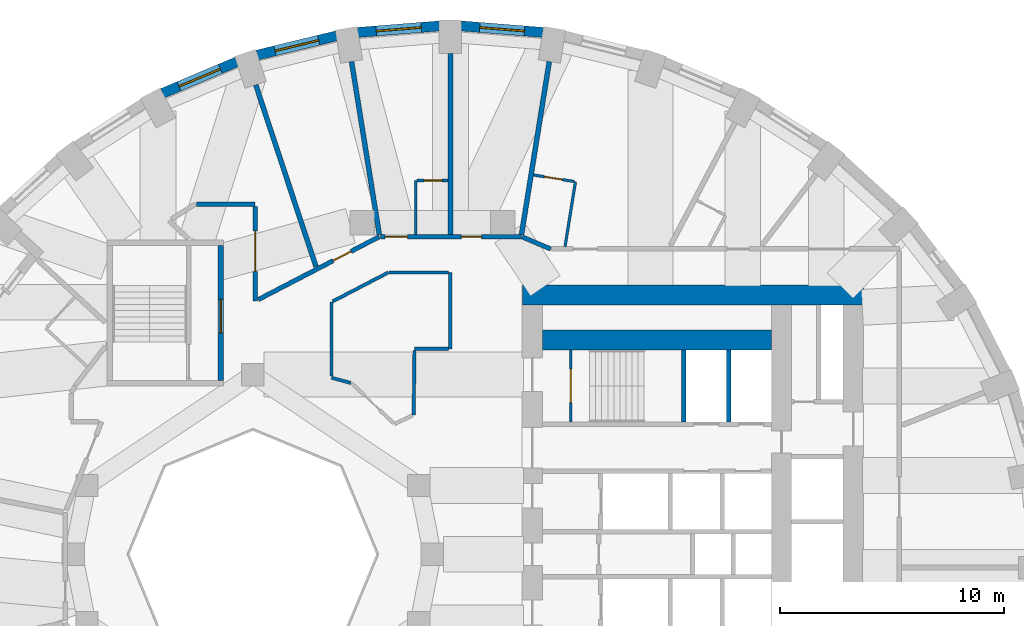
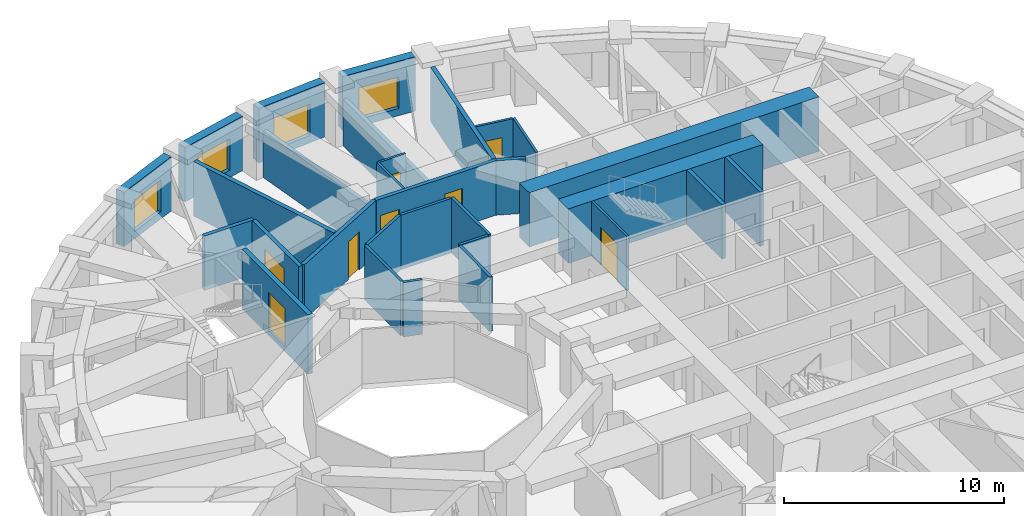
# One storey, part 8 of 13: 30 walls, 8 doors, 4 windows, 12 openings.
"""IFC4 building model written with IfcOpenShell, lengths in metres."""

import ifcopenshell
import ifcopenshell.guid

model = None  # the IFC model being written
_history = None  # IfcOwnerHistory: only IFC2X3 demands one
_inside = {}  # id of a spatial element -> (the spatial element, [elements in it])
_under = {}  # id of a project, library or spatial element -> (it, [spatial elements below it])
_declared = {}  # id of a project -> (the project, [libraries it declares])
_typed = {}  # id of a type object -> (the type object, [elements of that type])
_made_of = {}  # id of a material, layer set ... -> (it, [elements and type objects made of it])


def new_model(schema):
    """Start an empty IFC model of exactly this schema.

    Asked for "IFC4X3", IfcOpenShell would pick the latest addendum, in which some entities
    have other attributes; the version numbers below select the first issue.
    IFC2X3 requires an IfcOwnerHistory on every rooted entity: one is made here for all.
    """
    global model, _history
    if schema == "IFC4X3":
        model = ifcopenshell.file(schema_version=(4, 3, 0, 0))
    else:
        model = ifcopenshell.file(schema=schema)
    _inside.clear()
    _under.clear()
    _declared.clear()
    _typed.clear()
    _made_of.clear()
    _history = None
    if model.schema == "IFC2X3":
        org = make("IfcOrganization", Name="unknown")
        user = make(
            "IfcPersonAndOrganization",
            ThePerson=make("IfcPerson", FamilyName="unknown"),
            TheOrganization=org,
        )
        app = make(
            "IfcApplication",
            ApplicationDeveloper=org,
            Version="unknown",
            ApplicationFullName="unknown",
            ApplicationIdentifier="unknown",
        )
        _history = make(
            "IfcOwnerHistory",
            OwningUser=user,
            OwningApplication=app,
            ChangeAction="ADDED",
            CreationDate=0,
        )
    return model


def make(cls, **values):
    """One entity of the class cls with the attributes given. An attribute that is None is left unset."""
    return model.create_entity(
        cls, **{name: value for name, value in values.items() if value is not None}
    )


def rooted(cls, **values):
    """An entity with a GlobalId (a new one), such as an element, a storey or a relation."""
    return make(cls, GlobalId=ifcopenshell.guid.new(), OwnerHistory=_history, **values)


def si_unit(unit_type, name, prefix=None):
    """IfcSIUnit, for example si_unit("LENGTHUNIT", "METRE", prefix="MILLI")."""
    return make("IfcSIUnit", UnitType=unit_type, Prefix=prefix, Name=name)


def assignment(units):
    """IfcUnitAssignment: the units of a project."""
    return None if units is None else make("IfcUnitAssignment", Units=units)


def point(xyz):
    """IfcCartesianPoint."""
    return None if xyz is None else make("IfcCartesianPoint", Coordinates=xyz)


def direction(xyz):
    """IfcDirection."""
    return None if xyz is None else make("IfcDirection", DirectionRatios=xyz)


def frame(location, z_axis=None, x_axis=None):
    """IfcAxis2Placement3D, a coordinate frame: its origin and axes. An axis left out is left unset."""
    return make(
        "IfcAxis2Placement3D",
        Location=point(location),
        Axis=direction(z_axis),
        RefDirection=direction(x_axis),
    )


def frame_2d(location, x_axis=None):
    """IfcAxis2Placement2D, a coordinate frame in the plane: its origin and x axis."""
    return make(
        "IfcAxis2Placement2D", Location=point(location), RefDirection=direction(x_axis)
    )


def origin():
    """The frame at (0, 0, 0) with its axes left unset."""
    return frame((0.0, 0.0, 0.0))


def place(relative_to, where):
    """IfcLocalPlacement: puts the frame where relative to a parent placement (None: the world)."""
    return make(
        "IfcLocalPlacement", PlacementRelTo=relative_to, RelativePlacement=where
    )


def context(
    kind, dimensions, precision=None, world=None, true_north=None, identifier=None
):
    """IfcGeometricRepresentationContext, for example the 3D "Model" context."""
    return make(
        "IfcGeometricRepresentationContext",
        ContextIdentifier=identifier,
        ContextType=kind,
        CoordinateSpaceDimension=dimensions,
        Precision=precision,
        WorldCoordinateSystem=world,
        TrueNorth=true_north,
    )


def subcontext(parent, identifier, kind, view, scale=None):
    """IfcGeometricRepresentationSubContext, for example "Body" below "Model"."""
    return make(
        "IfcGeometricRepresentationSubContext",
        ContextIdentifier=identifier,
        ContextType=kind,
        ParentContext=parent,
        TargetScale=scale,
        TargetView=view,
    )


def project(units=None, contexts=None):
    """IfcProject with its units and contexts."""
    return rooted(
        "IfcProject",
        Name="project",
        RepresentationContexts=contexts,
        UnitsInContext=assignment(units),
    )


def spatial(cls, under=None, at=None, **own):
    """A site, building, storey or space (cls), placed at a placement, below another one or the project."""
    s = rooted(cls, ObjectPlacement=at, **own)
    if under is not None:
        _under.setdefault(under.id(), (under, []))[1].append(s)
    return s


def profile(cls, at=None, kind="AREA", **sizes):
    """A parametric profile (cls). Its sizes go by their IFC names, for example OverallWidth=200.0."""
    return make(cls, ProfileType=kind, Position=at, **sizes)


def rectangle(**sizes):
    """IfcRectangleProfileDef."""
    return profile("IfcRectangleProfileDef", **sizes)


def extrude(swept, where, along, depth):
    """IfcExtrudedAreaSolid: the profile swept, set in the frame where, extruded along a direction by depth."""
    return make(
        "IfcExtrudedAreaSolid",
        SweptArea=swept,
        Position=where,
        ExtrudedDirection=direction(along),
        Depth=depth,
    )


def shape(context_of_items, identifier, shape_type, items):
    """IfcShapeRepresentation: the items that make up one representation, for example the "Body"."""
    return make(
        "IfcShapeRepresentation",
        ContextOfItems=context_of_items,
        RepresentationIdentifier=identifier,
        RepresentationType=shape_type,
        Items=items,
    )


def material(Name=None, Category=None):
    """IfcMaterial."""
    return make("IfcMaterial", Name=Name, Category=Category)


def layer(
    of_material, thickness, ventilated=None, Name=None, Category=None, Priority=None
):
    """IfcMaterialLayer: one layer of a wall or slab, of a material (None: an air gap)."""
    return make(
        "IfcMaterialLayer",
        Material=of_material,
        LayerThickness=thickness,
        IsVentilated=ventilated,
        Name=Name,
        Category=Category,
        Priority=Priority,
    )


def layer_set(layers, Name=None):
    """IfcMaterialLayerSet."""
    return make("IfcMaterialLayerSet", MaterialLayers=layers, LayerSetName=Name)


def made_of(thing, what):
    """Note that an element or type object is made of a material, layer set ...; save() writes the relation."""
    if what is not None:
        _made_of.setdefault(what.id(), (what, []))[1].append(thing)
    return thing


def type_object(cls, material=None, **own):
    """A type object (cls), such as IfcWallType, which elements share."""
    return made_of(rooted(cls, **own), material)


def element(
    cls,
    number,
    at=None,
    inside=None,
    cuts=None,
    type_object=None,
    material=None,
    context=None,
    identifier="Body",
    shape_type=None,
    held_by="IfcProductDefinitionShape",
    body=None,
    shapes=None,
    **own,
):
    """One element of the class cls, such as IfcWall. Its Tag is "e" and its number.

    at: its placement. inside: the storey or other place that contains it. cuts: it is an
    opening in that element (IfcRelVoidsElement). A single representation is given by context,
    identifier, shape_type and body (its items); several are given by shapes. held_by: the class
    of the entity that holds the representations. save() writes the other relations.
    """
    e = rooted(cls, Tag="e%d" % number, ObjectPlacement=at, **own)
    if body is not None:
        shapes = [shape(context, identifier, shape_type, body)]
    if shapes is not None:
        e.Representation = make(held_by, Representations=shapes)
    if inside is not None:
        _inside.setdefault(inside.id(), (inside, []))[1].append(e)
    if cuts is not None:
        rooted(
            "IfcRelVoidsElement", RelatingBuildingElement=cuts, RelatedOpeningElement=e
        )
    if type_object is not None:
        _typed.setdefault(type_object.id(), (type_object, []))[1].append(e)
    return made_of(e, material)


def fill(opening, filler):
    """IfcRelFillsElement: the door or window that sits in an opening."""
    return rooted(
        "IfcRelFillsElement",
        RelatingOpeningElement=opening,
        RelatedBuildingElement=filler,
    )


def aggregate(whole, parts):
    """IfcRelAggregates: a whole, such as a stair, and the parts it consists of."""
    return rooted("IfcRelAggregates", RelatingObject=whole, RelatedObjects=parts)


def save(model, path):
    """Write the relations noted so far, then the file.

    IfcRelAggregates (storeys below a building ...), IfcRelContainedInSpatialStructure (elements
    in a storey), IfcRelDefinesByType, IfcRelAssociatesMaterial and IfcRelDeclares: one each for
    every whole, place, type object, material and project.
    """
    for whole, parts in _under.values():
        aggregate(whole, parts)
    for where, things in _inside.values():
        rooted(
            "IfcRelContainedInSpatialStructure",
            RelatedElements=things,
            RelatingStructure=where,
        )
    for kind, things in _typed.values():
        rooted("IfcRelDefinesByType", RelatedObjects=things, RelatingType=kind)
    for what, things in _made_of.values():
        rooted("IfcRelAssociatesMaterial", RelatedObjects=things, RelatingMaterial=what)
    for by, libraries in _declared.values():
        rooted("IfcRelDeclares", RelatingContext=by, RelatedDefinitions=libraries)
    model.write(path)


model = new_model("IFC4")

# Units and contexts
model_context = context("Model", 3, precision=1e-05, world=origin(), true_north=direction((0.0, 1.0)))
body_context = subcontext(model_context, "Body", "Model", "MODEL_VIEW")
ifc_project = project(units=[si_unit("LENGTHUNIT", "METRE"), si_unit("AREAUNIT", "SQUARE_METRE"), si_unit("VOLUMEUNIT", "CUBIC_METRE"), si_unit("PLANEANGLEUNIT", "RADIAN"), si_unit("MASSUNIT", "GRAM", prefix="KILO")], contexts=[model_context])

# Site, building, storey
site_placement = place(None, origin())
site = spatial("IfcSite", under=ifc_project, at=site_placement, CompositionType="ELEMENT")
building_placement = place(site_placement, origin())
building = spatial("IfcBuilding", under=site, at=building_placement, Name="Taillehof Tower", CompositionType="ELEMENT")
storey_placement = place(building_placement, frame((0.0, 0.0, 115.300048828125)))
storey = spatial("IfcBuildingStorey", under=building, at=storey_placement, Name="L32", CompositionType="ELEMENT", Elevation=115.300048828125)

# Wall, opening, window
ifc_material_1 = material(Name="Brick masonry", Category="masonry")
ifc_layer_1 = layer(ifc_material_1, 0.449951171875)
ifc_layer_set_1 = layer_set([ifc_layer_1], Name="Brick infill wall 450")
wall_type_1 = type_object("IfcWallType", Name="Brick infill wall 450", PredefinedType="SOLIDWALL", material=ifc_layer_set_1)
wall_1_placement = place(storey_placement, frame((4.926513671875, 23.24658203125, 0.0), z_axis=(0.0, 0.0, 1.0), x_axis=(-0.996862216754, 0.079156306178, 0.0)))
wall_1 = element("IfcWall", 1, at=wall_1_placement, inside=storey, type_object=wall_type_1, Name="Brick wall L32 bay 9", PredefinedType="SOLIDWALL", context=body_context, shape_type="SweptSolid", body=[
    extrude(rectangle(XDim=3.657958984375, YDim=0.449951171875, at=frame_2d((1.8291015625, 0.0))), origin(), (0.0, 0.0, 1.0), 3.02001953125),
])
opening_1_placement = place(wall_1_placement, frame((0.8291015625, 0.0, 0.39990234375)))
opening_1 = element("IfcOpeningElement", 2, at=opening_1_placement, cuts=wall_1, Name="Opening W2", PredefinedType="OPENING", context=body_context, shape_type="SweptSolid", body=[
    extrude(rectangle(XDim=2.0, YDim=1.75, at=frame_2d((1.0, 0.875))), frame((0.0, 0.23486328125, 0.0), z_axis=(0.0, -1.0, 0.0), x_axis=(1.0, 0.0, 0.0)), (0.0, 0.0, 1.0), 0.469970703125),
])
ifc_material_2 = material(Name="Aluminium window frame with clear double glazing", Category="aluminium")
window_type = type_object("IfcWindowType", Name="Deep-set window 2000x1750", PartitioningType="SINGLE_PANEL", PredefinedType="WINDOW", material=ifc_material_2)
window_1_placement = place(opening_1_placement, origin())
window_1 = element("IfcWindow", 3, at=window_1_placement, inside=storey, type_object=window_type, Name="W2", OverallHeight=1.75, OverallWidth=2.0, PartitioningType="SINGLE_PANEL", PredefinedType="WINDOW", context=body_context, shape_type="SweptSolid", body=[
    extrude(rectangle(XDim=2.0, YDim=1.75, at=frame_2d((1.0, 0.875))), frame((0.0, 0.034912109375, 0.0), z_axis=(0.0, -1.0, 0.0), x_axis=(1.0, 0.0, 0.0)), (0.0, 0.0, 1.0), 0.06005859375),
])
fill(opening_1, window_1)

wall_2_placement = place(storey_placement, frame((0.31982421875, 23.5361328125, 0.0), z_axis=(0.0, 0.0, 1.0), x_axis=(-0.996862216754, -0.079156306178, 0.0)))
wall_2 = element("IfcWall", 4, at=wall_2_placement, inside=storey, type_object=wall_type_1, Name="Brick wall L32 bay 10", PredefinedType="SOLIDWALL", context=body_context, shape_type="SweptSolid", body=[
    extrude(rectangle(XDim=3.657958984375, YDim=0.449951171875, at=frame_2d((1.8291015625, 0.0))), origin(), (0.0, 0.0, 1.0), 3.02001953125),
])
opening_2_placement = place(wall_2_placement, frame((0.8291015625, 0.0, 0.39990234375)))
opening_2 = element("IfcOpeningElement", 5, at=opening_2_placement, cuts=wall_2, Name="Opening W2", PredefinedType="OPENING", context=body_context, shape_type="SweptSolid", body=[
    extrude(rectangle(XDim=2.0, YDim=1.75, at=frame_2d((1.0, 0.875))), frame((0.0, 0.23486328125, 0.0), z_axis=(0.0, -1.0, 0.0), x_axis=(1.0, 0.0, 0.0)), (0.0, 0.0, 1.0), 0.469970703125),
])
window_2_placement = place(opening_2_placement, origin())
window_2 = element("IfcWindow", 6, at=window_2_placement, inside=storey, type_object=window_type, Name="W2", OverallHeight=1.75, OverallWidth=2.0, PartitioningType="SINGLE_PANEL", PredefinedType="WINDOW", context=body_context, shape_type="SweptSolid", body=[
    extrude(rectangle(XDim=2.0, YDim=1.75, at=frame_2d((1.0, 0.875))), frame((0.0, 0.034912109375, 0.0), z_axis=(0.0, -1.0, 0.0), x_axis=(1.0, 0.0, 0.0)), (0.0, 0.0, 1.0), 0.06005859375),
])
fill(opening_2, window_2)

wall_3_placement = place(storey_placement, frame((-4.274658203125, 23.094482421875, 0.0), z_axis=(0.0, 0.0, 1.0), x_axis=(-0.971667603162, -0.236351579148, 0.0)))
wall_3 = element("IfcWall", 7, at=wall_3_placement, inside=storey, type_object=wall_type_1, Name="Brick wall L32 bay 11", PredefinedType="SOLIDWALL", context=body_context, shape_type="SweptSolid", body=[
    extrude(rectangle(XDim=3.635009765625, YDim=0.449951171875, at=frame_2d((1.8173828125, 0.0))), origin(), (0.0, 0.0, 1.0), 3.02001953125),
])
opening_3_placement = place(wall_3_placement, frame((0.8173828125, 0.0, 0.39990234375)))
opening_3 = element("IfcOpeningElement", 8, at=opening_3_placement, cuts=wall_3, Name="Opening W2", PredefinedType="OPENING", context=body_context, shape_type="SweptSolid", body=[
    extrude(rectangle(XDim=2.0, YDim=1.75, at=frame_2d((1.0, 0.875))), frame((0.0, 0.23486328125, 0.0), z_axis=(0.0, -1.0, 0.0), x_axis=(1.0, 0.0, 0.0)), (0.0, 0.0, 1.0), 0.469970703125),
])
window_3_placement = place(opening_3_placement, origin())
window_3 = element("IfcWindow", 9, at=window_3_placement, inside=storey, type_object=window_type, Name="W2", OverallHeight=1.75, OverallWidth=2.0, PartitioningType="SINGLE_PANEL", PredefinedType="WINDOW", context=body_context, shape_type="SweptSolid", body=[
    extrude(rectangle(XDim=2.0, YDim=1.75, at=frame_2d((1.0, 0.875))), frame((0.0, 0.034912109375, 0.0), z_axis=(0.0, -1.0, 0.0), x_axis=(1.0, 0.0, 0.0)), (0.0, 0.0, 1.0), 0.06005859375),
])
fill(opening_3, window_3)

wall_4_placement = place(storey_placement, frame((-8.718017578125, 21.93359375, 0.0), z_axis=(0.0, 0.0, 1.0), x_axis=(-0.920879975612, -0.389846213932, 0.0)))
wall_4 = element("IfcWall", 10, at=wall_4_placement, inside=storey, type_object=wall_type_1, Name="Brick wall L32 bay 12", PredefinedType="SOLIDWALL", context=body_context, shape_type="SweptSolid", body=[
    extrude(rectangle(XDim=3.591552734375, YDim=0.449951171875, at=frame_2d((1.7958984375, 0.0))), origin(), (0.0, 0.0, 1.0), 3.02001953125),
])
opening_4_placement = place(wall_4_placement, frame((0.795654296875, 0.0, 0.39990234375)))
opening_4 = element("IfcOpeningElement", 11, at=opening_4_placement, cuts=wall_4, Name="Opening W2", PredefinedType="OPENING", context=body_context, shape_type="SweptSolid", body=[
    extrude(rectangle(XDim=2.0, YDim=1.75, at=frame_2d((1.0, 0.875))), frame((0.0, 0.23486328125, 0.0), z_axis=(0.0, -1.0, 0.0), x_axis=(1.0, 0.0, 0.0)), (0.0, 0.0, 1.0), 0.469970703125),
])
window_4_placement = place(opening_4_placement, origin())
window_4 = element("IfcWindow", 12, at=window_4_placement, inside=storey, type_object=window_type, Name="W2", OverallHeight=1.75, OverallWidth=2.0, PartitioningType="SINGLE_PANEL", PredefinedType="WINDOW", context=body_context, shape_type="SweptSolid", body=[
    extrude(rectangle(XDim=2.0, YDim=1.75, at=frame_2d((1.0, 0.875))), frame((0.0, 0.034912109375, 0.0), z_axis=(0.0, -1.0, 0.0), x_axis=(1.0, 0.0, 0.0)), (0.0, 0.0, 1.0), 0.06005859375),
])
fill(opening_4, window_4)

# Wall
ifc_material_3 = material(Name="Gypsum board on steel studs, two layers each side", Category="steel")
ifc_layer_2 = layer(ifc_material_3, 0.199951171875)
ifc_layer_set_2 = layer_set([ifc_layer_2], Name="Compartment wall corridor 200")
wall_type_2 = type_object("IfcWallType", Name="Compartment wall corridor 200", PredefinedType="PARTITIONING", material=ifc_layer_set_2)
wall_5_placement = place(storey_placement, frame((-10.508544921875, 15.60009765625, 0.0), z_axis=(0.0, 0.0, 1.0), x_axis=(1.0, 0.0, 0.0)))
element("IfcWall", 13, at=wall_5_placement, inside=storey, type_object=wall_type_2, Name="Compartment wall", PredefinedType="PARTITIONING", context=body_context, shape_type="SweptSolid", body=[
    extrude(rectangle(XDim=2.608642578125, YDim=0.199951171875, at=frame_2d((1.30419921875, 0.0))), origin(), (0.0, 0.0, 1.0), 3.02001953125),
])

# Wall, opening, door
wall_6_placement = place(storey_placement, frame((-7.89990234375, 15.5, 0.0), z_axis=(0.0, 0.0, 1.0), x_axis=(0.0, -1.0, 0.0)))
wall_6 = element("IfcWall", 14, at=wall_6_placement, inside=storey, type_object=wall_type_2, Name="Compartment wall", PredefinedType="PARTITIONING", context=body_context, shape_type="SweptSolid", body=[
    extrude(rectangle(XDim=4.22998046875, YDim=0.199951171875, at=frame_2d((2.114990234375, 0.0))), origin(), (0.0, 0.0, 1.0), 3.02001953125),
])
opening_5_placement = place(wall_6_placement, frame((1.1044921875, 0.0, 0.0)))
opening_5 = element("IfcOpeningElement", 15, at=opening_5_placement, cuts=wall_6, Name="Opening D3248", PredefinedType="OPENING", context=body_context, shape_type="SweptSolid", body=[
    extrude(rectangle(XDim=1.800048828125, YDim=2.10009765625, at=frame_2d((0.89990234375, 1.050048828125))), frame((0.0, 0.10986328125, 0.0), z_axis=(0.0, -1.0, 0.0), x_axis=(1.0, 0.0, 0.0)), (0.0, 0.0, 1.0), 0.219970703125),
])
ifc_material_4 = material(Name="Timber door leaf in steel frame", Category="steel")
door_type_1 = type_object("IfcDoorType", Name="Lounge and meeting room double door EI 30 1800 x 2100", OperationType="SINGLE_SWING_LEFT", PredefinedType="DOOR", material=ifc_material_4)
door_1_placement = place(opening_5_placement, origin())
door_1 = element("IfcDoor", 16, at=door_1_placement, inside=storey, type_object=door_type_1, Name="D3248", OperationType="DOUBLE_DOOR_SINGLE_SWING", OverallHeight=2.10009765625, OverallWidth=1.800048828125, PredefinedType="DOOR", context=body_context, shape_type="SweptSolid", body=[
    extrude(rectangle(XDim=1.800048828125, YDim=2.10009765625, at=frame_2d((0.89990234375, 1.050048828125))), frame((0.0, 0.02490234375, 0.0), z_axis=(0.0, -1.0, 0.0), x_axis=(1.0, 0.0, 0.0)), (0.0, 0.0, 1.0), 0.050048828125),
])
fill(opening_5, door_1)

wall_7_placement = place(storey_placement, frame((-7.75732421875, 11.34423828125, 0.0), z_axis=(0.0, 0.0, 1.0), x_axis=(0.887263483993, 0.461262951008, 0.0)))
wall_7 = element("IfcWall", 17, at=wall_7_placement, inside=storey, type_object=wall_type_2, Name="Compartment wall", PredefinedType="PARTITIONING", context=body_context, shape_type="SweptSolid", body=[
    extrude(rectangle(XDim=6.078857421875, YDim=0.199951171875, at=frame_2d((3.03955078125, 0.0))), origin(), (0.0, 0.0, 1.0), 3.02001953125),
])
opening_6_placement = place(wall_7_placement, frame((3.75048828125, 0.0, 0.0)))
opening_6 = element("IfcOpeningElement", 18, at=opening_6_placement, cuts=wall_7, Name="Opening D3247", PredefinedType="OPENING", context=body_context, shape_type="SweptSolid", body=[
    extrude(rectangle(XDim=0.89990234375, YDim=2.10009765625, at=frame_2d((0.449951171875, 1.050048828125))), frame((0.0, 0.10986328125, 0.0), z_axis=(0.0, -1.0, 0.0), x_axis=(1.0, 0.0, 0.0)), (0.0, 0.0, 1.0), 0.219970703125),
])
ifc_material_5 = material(Name="Timber door leaf in steel frame", Category="steel")
door_type_2 = type_object("IfcDoorType", Name="Service room door EI 30 900 x 2100", OperationType="SINGLE_SWING_LEFT", PredefinedType="DOOR", material=ifc_material_5)
door_2_placement = place(opening_6_placement, origin())
door_2 = element("IfcDoor", 19, at=door_2_placement, inside=storey, type_object=door_type_2, Name="D3247", OperationType="SINGLE_SWING_LEFT", OverallHeight=2.10009765625, OverallWidth=0.89990234375, PredefinedType="DOOR", context=body_context, shape_type="SweptSolid", body=[
    extrude(rectangle(XDim=0.89990234375, YDim=2.10009765625, at=frame_2d((0.449951171875, 1.050048828125))), frame((0.0, 0.02490234375, 0.0), z_axis=(0.0, -1.0, 0.0), x_axis=(1.0, 0.0, 0.0)), (0.0, 0.0, 1.0), 0.050048828125),
])
fill(opening_6, door_2)

# Wall, openings, doors
wall_8_placement = place(storey_placement, frame((-2.32373046875, 14.148193359375, 0.0), z_axis=(0.0, 0.0, 1.0), x_axis=(1.0, 0.0, 0.0)))
wall_8 = element("IfcWall", 20, at=wall_8_placement, inside=storey, type_object=wall_type_2, Name="Compartment wall", PredefinedType="PARTITIONING", context=body_context, shape_type="SweptSolid", body=[
    extrude(rectangle(XDim=6.28759765625, YDim=0.199951171875, at=frame_2d((3.143798828125, 0.0))), origin(), (0.0, 0.0, 1.0), 3.02001953125),
])
opening_7_placement = place(wall_8_placement, frame((3.61669921875, 0.0, 0.0)))
opening_7 = element("IfcOpeningElement", 21, at=opening_7_placement, cuts=wall_8, Name="Opening D3244", PredefinedType="OPENING", context=body_context, shape_type="SweptSolid", body=[
    extrude(rectangle(XDim=0.89990234375, YDim=2.10009765625, at=frame_2d((0.449951171875, 1.050048828125))), frame((0.0, 0.10986328125, 0.0), z_axis=(0.0, -1.0, 0.0), x_axis=(1.0, 0.0, 0.0)), (0.0, 0.0, 1.0), 0.219970703125),
])
opening_8_placement = place(wall_8_placement, frame((0.219970703125, 0.0, 0.0)))
opening_8 = element("IfcOpeningElement", 22, at=opening_8_placement, cuts=wall_8, Name="Opening D3245", PredefinedType="OPENING", context=body_context, shape_type="SweptSolid", body=[
    extrude(rectangle(XDim=1.0, YDim=2.10009765625, at=frame_2d((0.5, 1.050048828125))), frame((0.0, 0.10986328125, 0.0), z_axis=(0.0, -1.0, 0.0), x_axis=(1.0, 0.0, 0.0)), (0.0, 0.0, 1.0), 0.219970703125),
])
ifc_material_6 = material(Name="Timber door leaf in steel frame", Category="steel")
door_type_3 = type_object("IfcDoorType", Name="Guest room door EI 30 1000 x 2100", OperationType="SINGLE_SWING_LEFT", PredefinedType="DOOR", material=ifc_material_6)
door_3_placement = place(opening_8_placement, origin())
door_3 = element("IfcDoor", 23, at=door_3_placement, inside=storey, type_object=door_type_3, Name="D3245", OperationType="SINGLE_SWING_LEFT", OverallHeight=2.10009765625, OverallWidth=1.0, PredefinedType="DOOR", context=body_context, shape_type="SweptSolid", body=[
    extrude(rectangle(XDim=1.0, YDim=2.10009765625, at=frame_2d((0.5, 1.050048828125))), frame((0.0, 0.02490234375, 0.0), z_axis=(0.0, -1.0, 0.0), x_axis=(1.0, 0.0, 0.0)), (0.0, 0.0, 1.0), 0.050048828125),
])
fill(opening_8, door_3)
door_4_placement = place(opening_7_placement, origin())
door_4 = element("IfcDoor", 24, at=door_4_placement, inside=storey, type_object=door_type_2, Name="D3244", OperationType="SINGLE_SWING_LEFT", OverallHeight=2.10009765625, OverallWidth=0.89990234375, PredefinedType="DOOR", context=body_context, shape_type="SweptSolid", body=[
    extrude(rectangle(XDim=0.89990234375, YDim=2.10009765625, at=frame_2d((0.449951171875, 1.050048828125))), frame((0.0, 0.02490234375, 0.0), z_axis=(0.0, -1.0, 0.0), x_axis=(1.0, 0.0, 0.0)), (0.0, 0.0, 1.0), 0.050048828125),
])
fill(opening_7, door_4)

# Walls
wall_9_placement = place(storey_placement, frame((4.00048828125, 14.132568359375, 0.0), z_axis=(0.0, 0.0, 1.0), x_axis=(0.921370144432, -0.388686322051, 0.0)))
element("IfcWall", 25, at=wall_9_placement, inside=storey, type_object=wall_type_2, Name="Compartment wall", PredefinedType="PARTITIONING", context=body_context, shape_type="SweptSolid", body=[
    extrude(rectangle(XDim=1.369873046875, YDim=0.199951171875, at=frame_2d((0.68505859375, 0.0))), origin(), (0.0, 0.0, 1.0), 3.02001953125),
])
ifc_material_7 = material(Name="Gypsum board on double steel studs with mineral wool", Category="steel")
ifc_layer_3 = layer(ifc_material_7, 0.219970703125)
ifc_layer_set_3 = layer_set([ifc_layer_3], Name="Compartment wall guest room 220")
wall_type_3 = type_object("IfcWallType", Name="Compartment wall guest room 220", PredefinedType="PARTITIONING", material=ifc_layer_set_3)
wall_10_placement = place(storey_placement, frame((5.20458984375, 21.9501953125, 0.0), z_axis=(0.0, 0.0, 1.0), x_axis=(-0.158499016873, -0.987359135092, 0.0)))
element("IfcWall", 26, at=wall_10_placement, inside=storey, type_object=wall_type_3, Name="Compartment wall", PredefinedType="PARTITIONING", context=body_context, shape_type="SweptSolid", body=[
    extrude(rectangle(XDim=7.807861328125, YDim=0.219970703125, at=frame_2d((3.90380859375, 0.0))), origin(), (0.0, 0.0, 1.0), 3.02001953125),
])
wall_11_placement = place(storey_placement, frame((0.800048828125, 22.300048828125, 0.0), z_axis=(0.0, 0.0, 1.0), x_axis=(0.0, -1.0, 0.0)))
element("IfcWall", 27, at=wall_11_placement, inside=storey, type_object=wall_type_3, Name="Compartment wall", PredefinedType="PARTITIONING", context=body_context, shape_type="SweptSolid", body=[
    extrude(rectangle(XDim=8.0517578125, YDim=0.219970703125, at=frame_2d((4.02587890625, 0.0))), origin(), (0.0, 0.0, 1.0), 2.570068359375),
])
wall_12_placement = place(storey_placement, frame((-3.604736328125, 21.9501953125, 0.0), z_axis=(0.0, 0.0, 1.0), x_axis=(0.158529499426, -0.987354241299, 0.0)))
element("IfcWall", 28, at=wall_12_placement, inside=storey, type_object=wall_type_3, Name="Compartment wall", PredefinedType="PARTITIONING", context=body_context, shape_type="SweptSolid", body=[
    extrude(rectangle(XDim=7.807861328125, YDim=0.219970703125, at=frame_2d((3.90380859375, 0.0))), origin(), (0.0, 0.0, 1.0), 2.570068359375),
])
wall_13_placement = place(storey_placement, frame((-7.873779296875, 20.911865234375, 0.0), z_axis=(0.0, 0.0, 1.0), x_axis=(0.314561749761, -0.949237012335, 0.0)))
element("IfcWall", 29, at=wall_13_placement, inside=storey, type_object=wall_type_3, Name="Compartment wall", PredefinedType="PARTITIONING", context=body_context, shape_type="SweptSolid", body=[
    extrude(rectangle(XDim=8.53125, YDim=0.219970703125, at=frame_2d((4.265625, 0.0))), origin(), (0.0, 0.0, 1.0), 3.02001953125),
])
ifc_material_8 = material(Name="Gypsum board on steel studs, two layers each side", Category="steel")
ifc_layer_4 = layer(ifc_material_8, 0.14990234375)
ifc_layer_set_4 = layer_set([ifc_layer_4], Name="Compartment wall service room 150")
wall_type_4 = type_object("IfcWallType", Name="Compartment wall service room 150", PredefinedType="PARTITIONING", material=ifc_layer_set_4)
wall_14_placement = place(storey_placement, frame((0.800048828125, 12.548095703125, 0.0), z_axis=(0.0, 0.0, 1.0), x_axis=(0.0, -1.0, 0.0)))
element("IfcWall", 30, at=wall_14_placement, inside=storey, type_object=wall_type_4, Name="Compartment wall", PredefinedType="PARTITIONING", context=body_context, shape_type="SweptSolid", body=[
    extrude(rectangle(XDim=3.398193359375, YDim=0.14990234375, at=frame_2d((1.69921875, 0.0))), origin(), (0.0, 0.0, 1.0), 3.02001953125),
])
wall_15_placement = place(storey_placement, frame((0.719970703125, 9.14990234375, 0.0), z_axis=(0.0, 0.0, 1.0), x_axis=(-1.0, 0.0, 0.0)))
element("IfcWall", 31, at=wall_15_placement, inside=storey, type_object=wall_type_4, Name="Compartment wall", PredefinedType="PARTITIONING", context=body_context, shape_type="SweptSolid", body=[
    extrude(rectangle(XDim=1.52001953125, YDim=0.14990234375, at=frame_2d((0.760009765625, 0.0))), origin(), (0.0, 0.0, 1.0), 3.02001953125),
])
wall_16_placement = place(storey_placement, frame((-0.801025390625, 9.06982421875, 0.0), z_axis=(0.0, 0.0, 1.0), x_axis=(-0.012779053564, -0.999918344561, 0.0)))
element("IfcWall", 32, at=wall_16_placement, inside=storey, type_object=wall_type_4, Name="Compartment wall", PredefinedType="PARTITIONING", context=body_context, shape_type="SweptSolid", body=[
    extrude(rectangle(XDim=2.86572265625, YDim=0.14990234375, at=frame_2d((1.432861328125, 0.0))), origin(), (0.0, 0.0, 1.0), 3.02001953125),
])
wall_17_placement = place(storey_placement, frame((-3.638671875, 7.631103515625, 0.0), z_axis=(0.0, 0.0, 1.0), x_axis=(-0.965879594242, 0.258991523853, 0.0)))
element("IfcWall", 33, at=wall_17_placement, inside=storey, type_object=wall_type_4, Name="Compartment wall", PredefinedType="PARTITIONING", context=body_context, shape_type="SweptSolid", body=[
    extrude(rectangle(XDim=0.891845703125, YDim=0.14990234375, at=frame_2d((0.44580078125, 0.0))), origin(), (0.0, 0.0, 1.0), 3.02001953125),
])
wall_18_placement = place(storey_placement, frame((-4.5, 7.942138671875, 0.0), z_axis=(0.0, 0.0, 1.0), x_axis=(0.0, 1.0, 0.0)))
element("IfcWall", 34, at=wall_18_placement, inside=storey, type_object=wall_type_4, Name="Compartment wall", PredefinedType="PARTITIONING", context=body_context, shape_type="SweptSolid", body=[
    extrude(rectangle(XDim=3.292236328125, YDim=0.14990234375, at=frame_2d((1.64599609375, 0.0))), origin(), (0.0, 0.0, 1.0), 3.02001953125),
])
wall_19_placement = place(storey_placement, frame((-4.446533203125, 11.26220703125, 0.0), z_axis=(0.0, 0.0, 1.0), x_axis=(0.887294207503, 0.461203847915, 0.0)))
element("IfcWall", 35, at=wall_19_placement, inside=storey, type_object=wall_type_4, Name="Compartment wall", PredefinedType="PARTITIONING", context=body_context, shape_type="SweptSolid", body=[
    extrude(rectangle(XDim=2.7880859375, YDim=0.14990234375, at=frame_2d((1.39404296875, 0.0))), origin(), (0.0, 0.0, 1.0), 3.02001953125),
])
wall_20_placement = place(storey_placement, frame((-1.9326171875, 12.548095703125, 0.0), z_axis=(0.0, 0.0, 1.0), x_axis=(1.0, 0.0, 0.0)))
element("IfcWall", 36, at=wall_20_placement, inside=storey, type_object=wall_type_4, Name="Compartment wall", PredefinedType="PARTITIONING", context=body_context, shape_type="SweptSolid", body=[
    extrude(rectangle(XDim=2.652587890625, YDim=0.14990234375, at=frame_2d((1.326171875, 0.0))), origin(), (0.0, 0.0, 1.0), 3.02001953125),
])
ifc_material_9 = material(Name="Concrete C80/95", Category="concrete")
ifc_layer_5 = layer(ifc_material_9, 0.89990234375)
ifc_layer_set_5 = layer_set([ifc_layer_5], Name="Core wall C80/95 900")
wall_type_5 = type_object("IfcWallType", Name="Core wall C80/95 900", PredefinedType="SHEAR", material=ifc_layer_set_5)
wall_21_placement = place(storey_placement, frame((4.0, 11.550048828125, 0.0), z_axis=(0.0, 0.0, 1.0), x_axis=(1.0, 0.0, 0.0)))
element("IfcWall", 37, at=wall_21_placement, inside=storey, type_object=wall_type_5, Name="Core wall CW03", PredefinedType="SHEAR", context=body_context, shape_type="SweptSolid", body=[
    extrude(rectangle(XDim=15.199951171875, YDim=0.89990234375, at=frame_2d((7.60009765625, 0.0))), origin(), (0.0, 0.0, 1.0), 3.02001953125),
])
wall_22_placement = place(storey_placement, frame((4.89990234375, 9.550048828125, 0.0), z_axis=(0.0, 0.0, 1.0), x_axis=(1.0, 0.0, 0.0)))
element("IfcWall", 38, at=wall_22_placement, inside=storey, type_object=wall_type_5, Name="Core wall CW06", PredefinedType="SHEAR", context=body_context, shape_type="SweptSolid", body=[
    extrude(rectangle(XDim=10.2001953125, YDim=0.89990234375, at=frame_2d((5.10009765625, 0.0))), origin(), (0.0, 0.0, 1.0), 3.02001953125),
])
ifc_material_10 = material(Name="Gypsum board on steel studs, moisture resistant", Category="steel")
ifc_layer_6 = layer(ifc_material_10, 0.1201171875)
ifc_layer_set_6 = layer_set([ifc_layer_6], Name="En-suite wall 120")
wall_type_6 = type_object("IfcWallType", Name="En-suite wall 120", PredefinedType="PARTITIONING", material=ifc_layer_set_6)
wall_23_placement = place(storey_placement, frame((5.90576171875, 13.7001953125, 0.0), z_axis=(0.0, 0.0, 1.0), x_axis=(0.158509986532, 0.98735737409, 0.0)))
element("IfcWall", 39, at=wall_23_placement, inside=storey, type_object=wall_type_6, Name="En-suite wall", PredefinedType="PARTITIONING", context=body_context, shape_type="SweptSolid", body=[
    extrude(rectangle(XDim=2.9326171875, YDim=0.1201171875, at=frame_2d((1.46630859375, 0.0))), origin(), (0.0, 0.0, 1.0), 3.02001953125),
])
wall_24_placement = place(storey_placement, frame((-0.75, 14.248291015625, 0.0), z_axis=(0.0, 0.0, 1.0), x_axis=(0.0, 1.0, 0.0)))
element("IfcWall", 40, at=wall_24_placement, inside=storey, type_object=wall_type_6, Name="En-suite wall", PredefinedType="PARTITIONING", context=body_context, shape_type="SweptSolid", body=[
    extrude(rectangle(XDim=2.39990234375, YDim=0.1201171875, at=frame_2d((1.199951171875, 0.0))), origin(), (0.0, 0.0, 1.0), 3.02001953125),
])

# Wall, opening, door
wall_25_placement = place(storey_placement, frame((6.311279296875, 16.605224609375, 0.0), z_axis=(0.0, 0.0, 1.0), x_axis=(-0.987336342922, 0.158640934018, 0.0)))
wall_25 = element("IfcWall", 41, at=wall_25_placement, inside=storey, type_object=wall_type_6, Name="En-suite wall", PredefinedType="PARTITIONING", context=body_context, shape_type="SweptSolid", body=[
    extrude(rectangle(XDim=1.829833984375, YDim=0.1201171875, at=frame_2d((0.9150390625, 0.0))), origin(), (0.0, 0.0, 1.0), 3.02001953125),
])
opening_9_placement = place(wall_25_placement, frame((0.539794921875, 0.0, 0.0)))
opening_9 = element("IfcOpeningElement", 42, at=opening_9_placement, cuts=wall_25, Name="Opening D3243", PredefinedType="OPENING", context=body_context, shape_type="SweptSolid", body=[
    extrude(rectangle(XDim=0.800048828125, YDim=2.10009765625, at=frame_2d((0.39990234375, 1.050048828125))), frame((0.0, 0.070068359375, 0.0), z_axis=(0.0, -1.0, 0.0), x_axis=(1.0, 0.0, 0.0)), (0.0, 0.0, 1.0), 0.14013671875),
])
ifc_material_11 = material(Name="Timber door leaf in steel frame", Category="steel")
door_type_4 = type_object("IfcDoorType", Name="En-suite door 800 x 2100", OperationType="SINGLE_SWING_LEFT", PredefinedType="DOOR", material=ifc_material_11)
door_5_placement = place(opening_9_placement, origin())
door_5 = element("IfcDoor", 43, at=door_5_placement, inside=storey, type_object=door_type_4, Name="D3243", OperationType="SINGLE_SWING_LEFT", OverallHeight=2.10009765625, OverallWidth=0.800048828125, PredefinedType="DOOR", context=body_context, shape_type="SweptSolid", body=[
    extrude(rectangle(XDim=0.800048828125, YDim=2.10009765625, at=frame_2d((0.39990234375, 1.050048828125))), frame((0.0, 0.02490234375, 0.0), z_axis=(0.0, -1.0, 0.0), x_axis=(1.0, 0.0, 0.0)), (0.0, 0.0, 1.0), 0.050048828125),
])
fill(opening_9, door_5)

wall_26_placement = place(storey_placement, frame((-0.68994140625, 16.648193359375, 0.0), z_axis=(0.0, 0.0, 1.0), x_axis=(1.0, 0.0, 0.0)))
wall_26 = element("IfcWall", 44, at=wall_26_placement, inside=storey, type_object=wall_type_6, Name="En-suite wall", PredefinedType="PARTITIONING", context=body_context, shape_type="SweptSolid", body=[
    extrude(rectangle(XDim=1.3798828125, YDim=0.1201171875, at=frame_2d((0.68994140625, 0.0))), origin(), (0.0, 0.0, 1.0), 3.02001953125),
])
opening_10_placement = place(wall_26_placement, frame((0.31494140625, 0.0, 0.0)))
opening_10 = element("IfcOpeningElement", 45, at=opening_10_placement, cuts=wall_26, Name="Opening D3246", PredefinedType="OPENING", context=body_context, shape_type="SweptSolid", body=[
    extrude(rectangle(XDim=0.800048828125, YDim=2.10009765625, at=frame_2d((0.39990234375, 1.050048828125))), frame((0.0, 0.070068359375, 0.0), z_axis=(0.0, -1.0, 0.0), x_axis=(1.0, 0.0, 0.0)), (0.0, 0.0, 1.0), 0.14013671875),
])
door_6_placement = place(opening_10_placement, origin())
door_6 = element("IfcDoor", 46, at=door_6_placement, inside=storey, type_object=door_type_4, Name="D3246", OperationType="SINGLE_SWING_RIGHT", OverallHeight=2.10009765625, OverallWidth=0.800048828125, PredefinedType="DOOR", context=body_context, shape_type="SweptSolid", body=[
    extrude(rectangle(XDim=0.800048828125, YDim=2.10009765625, at=frame_2d((0.39990234375, 1.050048828125))), frame((0.0, 0.02490234375, 0.0), z_axis=(0.0, -1.0, 0.0), x_axis=(1.0, 0.0, 0.0)), (0.0, 0.0, 1.0), 0.050048828125),
])
fill(opening_10, door_6)

# Walls
ifc_material_12 = material(Name="Concrete C50/60", Category="concrete")
ifc_layer_7 = layer(ifc_material_12, 0.199951171875)
ifc_layer_set_7 = layer_set([ifc_layer_7], Name="Shaft wall C50/60 200")
wall_type_7 = type_object("IfcWallType", Name="Shaft wall C50/60 200", PredefinedType="SHEAR", material=ifc_layer_set_7)
for number, where, z_axis, x_axis, name in (
    (47, (11.199951171875, 5.89990234375, 0.0), (0.0, 0.0, 1.0), (0.0, 1.0, 0.0), "Shaft wall SW"),
    (48, (13.199951171875, 5.89990234375, 0.0), (0.0, 0.0, 1.0), (0.0, 1.0, 0.0), "Shaft wall SW"),
):
    element("IfcWall", number, at=place(storey_placement, frame(where, z_axis=z_axis, x_axis=x_axis)), inside=storey, type_object=wall_type_7, Name=name, PredefinedType="SHEAR", context=body_context, shape_type="SweptSolid", body=[
        extrude(rectangle(XDim=3.2001953125, YDim=0.199951171875, at=frame_2d((1.60009765625, 0.0))), origin(), (0.0, 0.0, 1.0), 3.02001953125),
    ])

# Wall, opening, door
ifc_material_13 = material(Name="Concrete C50/60", Category="concrete")
ifc_layer_8 = layer(ifc_material_13, 0.1201171875)
ifc_layer_set_8 = layer_set([ifc_layer_8], Name="Stair lobby wall C50/60 120")
wall_type_8 = type_object("IfcWallType", Name="Stair lobby wall C50/60 120", PredefinedType="SHEAR", material=ifc_layer_set_8)
wall_27_placement = place(storey_placement, frame((6.159912109375, 5.89990234375, 0.0), z_axis=(0.0, 0.0, 1.0), x_axis=(0.0, 1.0, 0.0)))
wall_27 = element("IfcWall", 49, at=wall_27_placement, inside=storey, type_object=wall_type_8, Name="Compartment wall SW", PredefinedType="SHEAR", context=body_context, shape_type="SweptSolid", body=[
    extrude(rectangle(XDim=3.2001953125, YDim=0.1201171875, at=frame_2d((1.60009765625, 0.0))), origin(), (0.0, 0.0, 1.0), 3.02001953125),
])
opening_11_placement = place(wall_27_placement, frame((0.85009765625, 0.0, 0.0)))
opening_11 = element("IfcOpeningElement", 50, at=opening_11_placement, cuts=wall_27, Name="Opening D3210", PredefinedType="OPENING", context=body_context, shape_type="SweptSolid", body=[
    extrude(rectangle(XDim=1.5, YDim=2.10009765625, at=frame_2d((0.75, 1.050048828125))), frame((0.0, 0.070068359375, 0.0), z_axis=(0.0, -1.0, 0.0), x_axis=(1.0, 0.0, 0.0)), (0.0, 0.0, 1.0), 0.14013671875),
])
ifc_material_14 = material(Name="Steel-faced fire door", Category="steel")
door_type_5 = type_object("IfcDoorType", Name="Stair door 1500x2100", OperationType="DOUBLE_DOOR_SINGLE_SWING", PredefinedType="DOOR", material=ifc_material_14)
door_7_placement = place(opening_11_placement, origin())
door_7 = element("IfcDoor", 51, at=door_7_placement, inside=storey, type_object=door_type_5, Name="Stair lobby door S1", OperationType="DOUBLE_DOOR_SINGLE_SWING", OverallHeight=2.10009765625, OverallWidth=1.5, PredefinedType="DOOR", context=body_context, shape_type="SweptSolid", body=[
    extrude(rectangle(XDim=1.5, YDim=2.10009765625, at=frame_2d((0.75, 1.050048828125))), frame((0.0, 0.02490234375, 0.0), z_axis=(0.0, -1.0, 0.0), x_axis=(1.0, 0.0, 0.0)), (0.0, 0.0, 1.0), 0.050048828125),
])
fill(opening_11, door_7)

ifc_material_15 = material(Name="Concrete C50/60", Category="concrete")
ifc_layer_9 = layer(ifc_material_15, 0.25)
ifc_layer_set_9 = layer_set([ifc_layer_9], Name="Stair wall C50/60 250")
wall_type_9 = type_object("IfcWallType", Name="Stair wall C50/60 250", PredefinedType="SHEAR", material=ifc_layer_set_9)
wall_28_placement = place(storey_placement, frame((-9.425048828125, 7.75, -0.280029296875), z_axis=(0.0, 0.0, 1.0), x_axis=(0.0, 1.0, 0.0)))
wall_28 = element("IfcWall", 52, at=wall_28_placement, inside=storey, type_object=wall_type_9, Name="Stair wall SC", PredefinedType="SHEAR", context=body_context, shape_type="SweptSolid", body=[
    extrude(rectangle(XDim=6.0, YDim=0.25, at=frame_2d((3.0, 0.0))), origin(), (0.0, 0.0, 1.0), 3.300048828125),
])
opening_12_placement = place(wall_28_placement, frame((2.10009765625, 0.0, 0.280029296875)))
opening_12 = element("IfcOpeningElement", 53, at=opening_12_placement, cuts=wall_28, Name="Opening D3219", PredefinedType="OPENING", context=body_context, shape_type="SweptSolid", body=[
    extrude(rectangle(XDim=1.5, YDim=2.10009765625, at=frame_2d((0.75, 1.050048828125))), frame((0.0, 0.135009765625, 0.0), z_axis=(0.0, -1.0, 0.0), x_axis=(1.0, 0.0, 0.0)), (0.0, 0.0, 1.0), 0.27001953125),
])
door_8_placement = place(opening_12_placement, origin())
door_8 = element("IfcDoor", 54, at=door_8_placement, inside=storey, type_object=door_type_5, Name="Stair door S3", OperationType="DOUBLE_DOOR_SINGLE_SWING", OverallHeight=2.10009765625, OverallWidth=1.5, PredefinedType="DOOR", context=body_context, shape_type="SweptSolid", body=[
    extrude(rectangle(XDim=1.5, YDim=2.10009765625, at=frame_2d((0.75, 1.050048828125))), frame((0.0, 0.02490234375, 0.0), z_axis=(0.0, -1.0, 0.0), x_axis=(1.0, 0.0, 0.0)), (0.0, 0.0, 1.0), 0.050048828125),
])
fill(opening_12, door_8)

save(model, "model.ifc")
